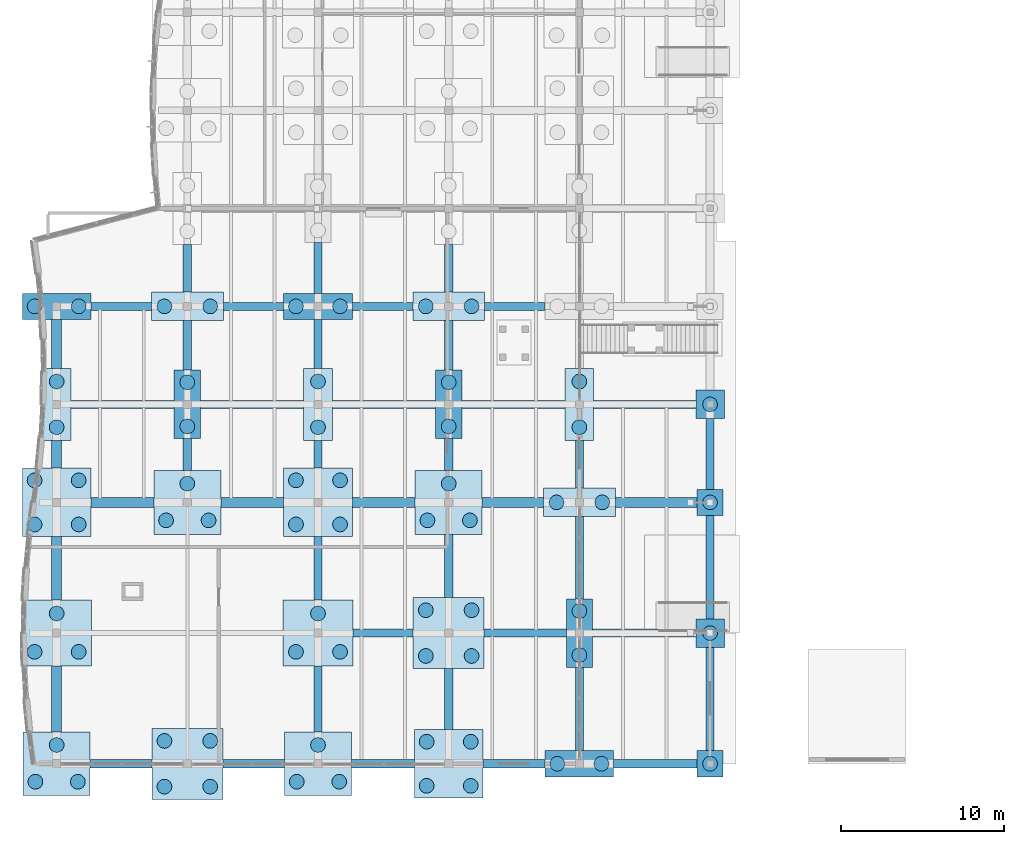
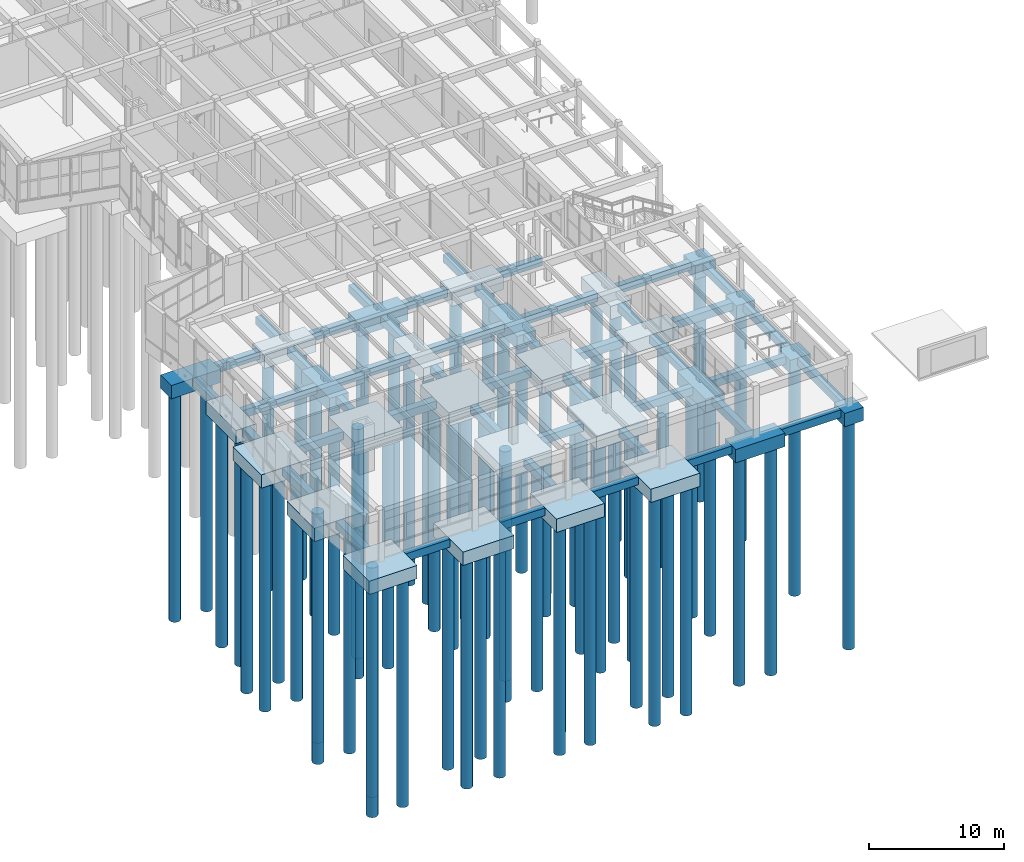
# One storey, part 1 of 99: 72 footings, 66 piles.
"""IFC4 building model written with IfcOpenShell, lengths in metres."""

from ifc_helpers import new_model, si_unit, direction, frame, origin, origin_2d, place, context, subcontext, project, spatial, rectangle, circle, extrude, material, material_profile, profile_set, type_object, element, save


model = new_model("IFC4")

# Units and contexts
model_context = context("Model", 3, precision=1e-05, world=origin(), true_north=direction((0.0, 1.0)))
body_context = subcontext(model_context, "Body", "Model", "MODEL_VIEW")
ifc_project = project(units=[si_unit("LENGTHUNIT", "METRE"), si_unit("AREAUNIT", "SQUARE_METRE"), si_unit("VOLUMEUNIT", "CUBIC_METRE"), si_unit("PLANEANGLEUNIT", "RADIAN"), si_unit("MASSUNIT", "GRAM", prefix="KILO")], contexts=[model_context])

# Site, building, storey
site_placement = place(None, origin())
site = spatial("IfcSite", under=ifc_project, at=site_placement, CompositionType="ELEMENT")
building_placement = place(site_placement, origin())
building = spatial("IfcBuilding", under=site, at=building_placement, Name="Tonlespit Floodbar School", CompositionType="ELEMENT")
storey_placement = place(building_placement, origin())
storey = spatial("IfcBuildingStorey", under=building, at=storey_placement, Name="L00", CompositionType="ELEMENT", Elevation=0.0)

# Footings
ifc_material_1 = material(Name="Concrete C40/50", Category="concrete")
footing_type_1 = type_object("IfcFootingType", Name="FootingBeam_RC_500x700", PredefinedType="FOOTING_BEAM", material=ifc_material_1)
for number, where, z_axis, x_axis, name in (
    (1, (7.9375, 4.0, -0.89990234375), (0.0, 0.0, 1.0), (1.0, 0.0, 0.0), "Ground tie beam FB-001"),
    (2, (16.0625, 4.0, -0.89990234375), (0.0, 0.0, 1.0), (1.0, 0.0, 0.0), "Ground tie beam FB-002"),
):
    element("IfcFooting", number, at=place(storey_placement, frame(where, z_axis=z_axis, x_axis=x_axis)), inside=storey, type_object=footing_type_1, Name=name, PredefinedType="FOOTING_BEAM", context=body_context, shape_type="SweptSolid", body=[
        extrude(rectangle(XDim=3.77490234375, YDim=0.5, at=origin_2d()), origin(), (0.0, 0.0, 1.0), 0.699951171875),
    ])
footing_1_placement = place(storey_placement, frame((23.97509765625, 4.0, -0.89990234375), z_axis=(0.0, 0.0, 1.0), x_axis=(1.0, 0.0, 0.0)))
element("IfcFooting", 3, at=footing_1_placement, inside=storey, type_object=footing_type_1, Name="Ground tie beam FB-003", PredefinedType="FOOTING_BEAM", context=body_context, shape_type="SweptSolid", body=[
    extrude(rectangle(XDim=3.85009765625, YDim=0.5, at=origin_2d()), origin(), (0.0, 0.0, 1.0), 0.699951171875),
])
footing_2_placement = place(storey_placement, frame((32.0, 4.0, -0.89990234375), z_axis=(0.0, 0.0, 1.0), x_axis=(1.0, 0.0, 0.0)))
element("IfcFooting", 4, at=footing_2_placement, inside=storey, type_object=footing_type_1, Name="Ground tie beam FB-004", PredefinedType="FOOTING_BEAM", context=body_context, shape_type="SweptSolid", body=[
    extrude(rectangle(XDim=3.800048828125, YDim=0.5, at=origin_2d()), origin(), (0.0, 0.0, 1.0), 0.699951171875),
])
footing_3_placement = place(storey_placement, frame((40.64990234375, 4.0, -0.89990234375), z_axis=(0.0, 0.0, 1.0), x_axis=(1.0, 0.0, 0.0)))
element("IfcFooting", 5, at=footing_3_placement, inside=storey, type_object=footing_type_1, Name="Ground tie beam FB-005", PredefinedType="FOOTING_BEAM", context=body_context, shape_type="SweptSolid", body=[
    extrude(rectangle(XDim=5.10009765625, YDim=0.5, at=origin_2d()), origin(), (0.0, 0.0, 1.0), 0.699951171875),
])
footing_4_placement = place(storey_placement, frame((23.987548828125, 12.0, -0.89990234375), z_axis=(0.0, 0.0, 1.0), x_axis=(1.0, 0.0, 0.0)))
element("IfcFooting", 6, at=footing_4_placement, inside=storey, type_object=footing_type_1, Name="Ground tie beam FB-006", PredefinedType="FOOTING_BEAM", context=body_context, shape_type="SweptSolid", body=[
    extrude(rectangle(XDim=3.675048828125, YDim=0.5, at=origin_2d()), origin(), (0.0, 0.0, 1.0), 0.699951171875),
])
footing_5_placement = place(storey_placement, frame((32.6875, 12.0, -0.89990234375), z_axis=(0.0, 0.0, 1.0), x_axis=(1.0, 0.0, 0.0)))
element("IfcFooting", 7, at=footing_5_placement, inside=storey, type_object=footing_type_1, Name="Ground tie beam FB-007", PredefinedType="FOOTING_BEAM", context=body_context, shape_type="SweptSolid", body=[
    extrude(rectangle(XDim=5.02490234375, YDim=0.5, at=origin_2d()), origin(), (0.0, 0.0, 1.0), 0.699951171875),
])
for number, where, z_axis, x_axis, name in (
    (8, (39.96240234375, 12.0, -0.89990234375), (0.0, 0.0, 1.0), (1.0, 0.0, 0.0), "Ground tie beam FB-008"),
    (9, (8.03759765625, 26.0, -0.89990234375), (0.0, 0.0, 1.0), (1.0, 0.0, 0.0), "Ground tie beam FB-021"),
    (10, (15.96240234375, 26.0, -0.89990234375), (0.0, 0.0, 1.0), (1.0, 0.0, 0.0), "Ground tie beam FB-022"),
    (11, (24.03759765625, 26.0, -0.89990234375), (0.0, 0.0, 1.0), (1.0, 0.0, 0.0), "Ground tie beam FB-023"),
    (12, (31.96240234375, 26.0, -0.89990234375), (0.0, 0.0, 1.0), (1.0, 0.0, 0.0), "Ground tie beam FB-024"),
):
    element("IfcFooting", number, at=place(storey_placement, frame(where, z_axis=z_axis, x_axis=x_axis)), inside=storey, type_object=footing_type_1, Name=name, PredefinedType="FOOTING_BEAM", context=body_context, shape_type="SweptSolid", body=[
        extrude(rectangle(XDim=6.324951171875, YDim=0.5, at=origin_2d()), origin(), (0.0, 0.0, 1.0), 0.699951171875),
    ])
footing_6_placement = place(storey_placement, frame((40.0, 26.0, -0.89990234375), z_axis=(0.0, 0.0, 1.0), x_axis=(1.0, 0.0, 0.0)))
element("IfcFooting", 13, at=footing_6_placement, inside=storey, type_object=footing_type_1, Name="Ground tie beam FB-025", PredefinedType="FOOTING_BEAM", context=body_context, shape_type="SweptSolid", body=[
    extrude(rectangle(XDim=6.25, YDim=0.5, at=origin_2d()), origin(), (0.0, 0.0, 1.0), 0.699951171875),
])
for number, where, z_axis, x_axis, name in (
    (14, (7.949951171875, 32.0, -0.89990234375), (0.0, 0.0, 1.0), (1.0, 0.0, 0.0), "Ground tie beam FB-026"),
    (15, (16.050048828125, 32.0, -0.89990234375), (0.0, 0.0, 1.0), (1.0, 0.0, 0.0), "Ground tie beam FB-027"),
    (16, (23.949951171875, 32.0, -0.89990234375), (0.0, 0.0, 1.0), (1.0, 0.0, 0.0), "Ground tie beam FB-028"),
    (17, (32.050048828125, 32.0, -0.89990234375), (0.0, 0.0, 1.0), (1.0, 0.0, 0.0), "Ground tie beam FB-029"),
):
    element("IfcFooting", number, at=place(storey_placement, frame(where, z_axis=z_axis, x_axis=x_axis)), inside=storey, type_object=footing_type_1, Name=name, PredefinedType="FOOTING_BEAM", context=body_context, shape_type="SweptSolid", body=[
        extrude(rectangle(XDim=3.699951171875, YDim=0.5, at=origin_2d()), origin(), (0.0, 0.0, 1.0), 0.699951171875),
    ])
footing_7_placement = place(storey_placement, frame((12.0, 22.925048828125, -0.89990234375), z_axis=(0.0, 0.0, 1.0), x_axis=(0.0, 1.0, 0.0)))
element("IfcFooting", 18, at=footing_7_placement, inside=storey, type_object=footing_type_1, Name="Ground tie beam FB-167", PredefinedType="FOOTING_BEAM", context=body_context, shape_type="SweptSolid", body=[
    extrude(rectangle(XDim=1.949951171875, YDim=0.5, at=origin_2d()), origin(), (0.0, 0.0, 1.0), 0.699951171875),
])
footing_8_placement = place(storey_placement, frame((12.0, 29.612548828125, -0.89990234375), z_axis=(0.0, 0.0, 1.0), x_axis=(0.0, 1.0, 0.0)))
element("IfcFooting", 19, at=footing_8_placement, inside=storey, type_object=footing_type_1, Name="Ground tie beam FB-168", PredefinedType="FOOTING_BEAM", context=body_context, shape_type="SweptSolid", body=[
    extrude(rectangle(XDim=3.02490234375, YDim=0.5, at=origin_2d()), origin(), (0.0, 0.0, 1.0), 0.699951171875),
])
footing_9_placement = place(storey_placement, frame((12.0, 34.33740234375, -0.89990234375), z_axis=(0.0, 0.0, 1.0), x_axis=(0.0, 1.0, 0.0)))
element("IfcFooting", 20, at=footing_9_placement, inside=storey, type_object=footing_type_1, Name="Ground tie beam FB-169", PredefinedType="FOOTING_BEAM", context=body_context, shape_type="SweptSolid", body=[
    extrude(rectangle(XDim=2.925048828125, YDim=0.5, at=origin_2d()), origin(), (0.0, 0.0, 1.0), 0.699951171875),
])
footing_10_placement = place(storey_placement, frame((20.0, 7.96240234375, -0.89990234375), z_axis=(0.0, 0.0, 1.0), x_axis=(0.0, 1.0, 0.0)))
element("IfcFooting", 21, at=footing_10_placement, inside=storey, type_object=footing_type_1, Name="Ground tie beam FB-178", PredefinedType="FOOTING_BEAM", context=body_context, shape_type="SweptSolid", body=[
    extrude(rectangle(XDim=4.02490234375, YDim=0.5, at=origin_2d()), origin(), (0.0, 0.0, 1.0), 0.699951171875),
])
footing_11_placement = place(storey_placement, frame((20.0, 15.96240234375, -0.89990234375), z_axis=(0.0, 0.0, 1.0), x_axis=(0.0, 1.0, 0.0)))
element("IfcFooting", 22, at=footing_11_placement, inside=storey, type_object=footing_type_1, Name="Ground tie beam FB-179", PredefinedType="FOOTING_BEAM", context=body_context, shape_type="SweptSolid", body=[
    extrude(rectangle(XDim=3.875, YDim=0.5, at=origin_2d()), origin(), (0.0, 0.0, 1.0), 0.699951171875),
])
footing_12_placement = place(storey_placement, frame((20.0, 22.949951171875, -0.89990234375), z_axis=(0.0, 0.0, 1.0), x_axis=(0.0, 1.0, 0.0)))
element("IfcFooting", 23, at=footing_12_placement, inside=storey, type_object=footing_type_1, Name="Ground tie beam FB-180", PredefinedType="FOOTING_BEAM", context=body_context, shape_type="SweptSolid", body=[
    extrude(rectangle(XDim=1.699951171875, YDim=0.5, at=origin_2d()), origin(), (0.0, 0.0, 1.0), 0.699951171875),
])
footing_13_placement = place(storey_placement, frame((20.0, 29.699951171875, -0.89990234375), z_axis=(0.0, 0.0, 1.0), x_axis=(0.0, 1.0, 0.0)))
element("IfcFooting", 24, at=footing_13_placement, inside=storey, type_object=footing_type_1, Name="Ground tie beam FB-181", PredefinedType="FOOTING_BEAM", context=body_context, shape_type="SweptSolid", body=[
    extrude(rectangle(XDim=3.0, YDim=0.5, at=origin_2d()), origin(), (0.0, 0.0, 1.0), 0.699951171875),
])
footing_14_placement = place(storey_placement, frame((20.0, 34.35009765625, -0.89990234375), z_axis=(0.0, 0.0, 1.0), x_axis=(0.0, 1.0, 0.0)))
element("IfcFooting", 25, at=footing_14_placement, inside=storey, type_object=footing_type_1, Name="Ground tie beam FB-182", PredefinedType="FOOTING_BEAM", context=body_context, shape_type="SweptSolid", body=[
    extrude(rectangle(XDim=3.10009765625, YDim=0.5, at=origin_2d()), origin(), (0.0, 0.0, 1.0), 0.699951171875),
])
footing_15_placement = place(storey_placement, frame((28.0, 7.96240234375, -0.89990234375), z_axis=(0.0, 0.0, 1.0), x_axis=(0.0, 1.0, 0.0)))
element("IfcFooting", 26, at=footing_15_placement, inside=storey, type_object=footing_type_1, Name="Ground tie beam FB-191", PredefinedType="FOOTING_BEAM", context=body_context, shape_type="SweptSolid", body=[
    extrude(rectangle(XDim=3.72509765625, YDim=0.5, at=origin_2d()), origin(), (0.0, 0.0, 1.0), 0.699951171875),
])
footing_16_placement = place(storey_placement, frame((28.0, 16.112548828125, -0.89990234375), z_axis=(0.0, 0.0, 1.0), x_axis=(0.0, 1.0, 0.0)))
element("IfcFooting", 27, at=footing_16_placement, inside=storey, type_object=footing_type_1, Name="Ground tie beam FB-192", PredefinedType="FOOTING_BEAM", context=body_context, shape_type="SweptSolid", body=[
    extrude(rectangle(XDim=3.875, YDim=0.5, at=origin_2d()), origin(), (0.0, 0.0, 1.0), 0.699951171875),
])
footing_17_placement = place(storey_placement, frame((28.0, 22.925048828125, -0.89990234375), z_axis=(0.0, 0.0, 1.0), x_axis=(0.0, 1.0, 0.0)))
element("IfcFooting", 28, at=footing_17_placement, inside=storey, type_object=footing_type_1, Name="Ground tie beam FB-193", PredefinedType="FOOTING_BEAM", context=body_context, shape_type="SweptSolid", body=[
    extrude(rectangle(XDim=1.949951171875, YDim=0.5, at=origin_2d()), origin(), (0.0, 0.0, 1.0), 0.699951171875),
])
footing_18_placement = place(storey_placement, frame((28.0, 29.612548828125, -0.89990234375), z_axis=(0.0, 0.0, 1.0), x_axis=(0.0, 1.0, 0.0)))
element("IfcFooting", 29, at=footing_18_placement, inside=storey, type_object=footing_type_1, Name="Ground tie beam FB-194", PredefinedType="FOOTING_BEAM", context=body_context, shape_type="SweptSolid", body=[
    extrude(rectangle(XDim=3.02490234375, YDim=0.5, at=origin_2d()), origin(), (0.0, 0.0, 1.0), 0.699951171875),
])
footing_19_placement = place(storey_placement, frame((28.0, 34.33740234375, -0.89990234375), z_axis=(0.0, 0.0, 1.0), x_axis=(0.0, 1.0, 0.0)))
element("IfcFooting", 30, at=footing_19_placement, inside=storey, type_object=footing_type_1, Name="Ground tie beam FB-195", PredefinedType="FOOTING_BEAM", context=body_context, shape_type="SweptSolid", body=[
    extrude(rectangle(XDim=2.925048828125, YDim=0.5, at=origin_2d()), origin(), (0.0, 0.0, 1.0), 0.699951171875),
])
footing_20_placement = place(storey_placement, frame((36.0, 7.35009765625, -0.89990234375), z_axis=(0.0, 0.0, 1.0), x_axis=(0.0, 1.0, 0.0)))
element("IfcFooting", 31, at=footing_20_placement, inside=storey, type_object=footing_type_1, Name="Ground tie beam FB-204", PredefinedType="FOOTING_BEAM", context=body_context, shape_type="SweptSolid", body=[
    extrude(rectangle(XDim=5.10009765625, YDim=0.5, at=origin_2d()), origin(), (0.0, 0.0, 1.0), 0.699951171875),
])
footing_21_placement = place(storey_placement, frame((36.0, 16.612548828125, -0.89990234375), z_axis=(0.0, 0.0, 1.0), x_axis=(0.0, 1.0, 0.0)))
element("IfcFooting", 32, at=footing_21_placement, inside=storey, type_object=footing_type_1, Name="Ground tie beam FB-205", PredefinedType="FOOTING_BEAM", context=body_context, shape_type="SweptSolid", body=[
    extrude(rectangle(XDim=5.02490234375, YDim=0.5, at=origin_2d()), origin(), (0.0, 0.0, 1.0), 0.699951171875),
])
footing_22_placement = place(storey_placement, frame((36.0, 22.33740234375, -0.89990234375), z_axis=(0.0, 0.0, 1.0), x_axis=(0.0, 1.0, 0.0)))
element("IfcFooting", 33, at=footing_22_placement, inside=storey, type_object=footing_type_1, Name="Ground tie beam FB-206", PredefinedType="FOOTING_BEAM", context=body_context, shape_type="SweptSolid", body=[
    extrude(rectangle(XDim=2.925048828125, YDim=0.5, at=origin_2d()), origin(), (0.0, 0.0, 1.0), 0.699951171875),
])
for number, where, z_axis, x_axis, name in (
    (34, (44.0, 7.96240234375, -0.89990234375), (0.0, 0.0, 1.0), (0.0, 1.0, 0.0), "Ground tie beam FB-217"),
    (35, (44.0, 16.03759765625, -0.89990234375), (0.0, 0.0, 1.0), (0.0, 1.0, 0.0), "Ground tie beam FB-218"),
):
    element("IfcFooting", number, at=place(storey_placement, frame(where, z_axis=z_axis, x_axis=x_axis)), inside=storey, type_object=footing_type_1, Name=name, PredefinedType="FOOTING_BEAM", context=body_context, shape_type="SweptSolid", body=[
        extrude(rectangle(XDim=6.324951171875, YDim=0.5, at=origin_2d()), origin(), (0.0, 0.0, 1.0), 0.699951171875),
    ])
footing_23_placement = place(storey_placement, frame((44.0, 22.96240234375, -0.89990234375), z_axis=(0.0, 0.0, 1.0), x_axis=(0.0, 1.0, 0.0)))
element("IfcFooting", 36, at=footing_23_placement, inside=storey, type_object=footing_type_1, Name="Ground tie beam FB-219", PredefinedType="FOOTING_BEAM", context=body_context, shape_type="SweptSolid", body=[
    extrude(rectangle(XDim=4.324951171875, YDim=0.5, at=origin_2d()), origin(), (0.0, 0.0, 1.0), 0.699951171875),
])
footing_type_2 = type_object("IfcFootingType", Name="PileCap_1P_1600", PredefinedType="PILE_CAP", material=ifc_material_1)
for number, where, z_axis, x_axis, name in (
    (37, (44.0, 4.0, -1.39990234375), (0.0, 0.0, 1.0), (1.0, 0.0, 0.0), "Pile cap FC-067 at U06/V01"),
    (38, (44.0, 20.0, -1.39990234375), (0.0, 0.0, 1.0), (1.0, 0.0, 0.0), "Pile cap FC-069 at U06/V03"),
):
    element("IfcFooting", number, at=place(storey_placement, frame(where, z_axis=z_axis, x_axis=x_axis)), inside=storey, type_object=footing_type_2, Name=name, PredefinedType="PILE_CAP", context=body_context, shape_type="SweptSolid", body=[
        extrude(rectangle(XDim=1.60009765625, YDim=1.60009765625, at=origin_2d()), origin(), (0.0, 0.0, 1.0), 1.199951171875),
    ])
footing_type_3 = type_object("IfcFootingType", Name="PileCap_1P_1750", PredefinedType="PILE_CAP", material=ifc_material_1)
for number, where, z_axis, x_axis, name in (
    (39, (44.0, 12.0, -1.39990234375), (0.0, 0.0, 1.0), (1.0, 0.0, 0.0), "Pile cap FC-068 at U06/V02"),
    (40, (44.0, 26.0, -1.39990234375), (0.0, 0.0, 1.0), (1.0, 0.0, 0.0), "Pile cap FC-070 at U06/V04"),
):
    element("IfcFooting", number, at=place(storey_placement, frame(where, z_axis=z_axis, x_axis=x_axis)), inside=storey, type_object=footing_type_3, Name=name, PredefinedType="PILE_CAP", context=body_context, shape_type="SweptSolid", body=[
        extrude(rectangle(XDim=1.75, YDim=1.75, at=origin_2d()), origin(), (0.0, 0.0, 1.0), 1.199951171875),
    ])
footing_type_4 = type_object("IfcFootingType", Name="PileCap_2PX_4200x1600", PredefinedType="PILE_CAP", material=ifc_material_1)
for number, where, z_axis, x_axis, name in (
    (41, (4.0, 32.0, -1.39990234375), (0.0, 0.0, 1.0), (1.0, 0.0, 0.0), "Pile cap FC-005 at U01/V05"),
    (42, (20.0, 32.0, -1.39990234375), (0.0, 0.0, 1.0), (1.0, 0.0, 0.0), "Pile cap FC-029 at U03/V05"),
    (43, (36.0, 4.0, -1.39990234375), (0.0, 0.0, 1.0), (1.0, 0.0, 0.0), "Pile cap FC-053 at U05/V01"),
):
    element("IfcFooting", number, at=place(storey_placement, frame(where, z_axis=z_axis, x_axis=x_axis)), inside=storey, type_object=footing_type_4, Name=name, PredefinedType="PILE_CAP", context=body_context, shape_type="SweptSolid", body=[
        extrude(rectangle(XDim=4.199951171875, YDim=1.60009765625, at=origin_2d()), origin(), (0.0, 0.0, 1.0), 1.199951171875),
    ])
footing_type_5 = type_object("IfcFootingType", Name="PileCap_2PX_4400x1750", PredefinedType="PILE_CAP", material=ifc_material_1)
for number, where, z_axis, x_axis, name in (
    (44, (12.0, 32.0, -1.39990234375), (0.0, 0.0, 1.0), (1.0, 0.0, 0.0), "Pile cap FC-015 at U02/V05"),
    (45, (28.0, 32.0, -1.39990234375), (0.0, 0.0, 1.0), (1.0, 0.0, 0.0), "Pile cap FC-043 at U04/V05"),
    (46, (36.0, 20.0, -1.39990234375), (0.0, 0.0, 1.0), (1.0, 0.0, 0.0), "Pile cap FC-055 at U05/V03"),
):
    element("IfcFooting", number, at=place(storey_placement, frame(where, z_axis=z_axis, x_axis=x_axis)), inside=storey, type_object=footing_type_5, Name=name, PredefinedType="PILE_CAP", context=body_context, shape_type="SweptSolid", body=[
        extrude(rectangle(XDim=4.39990234375, YDim=1.75, at=origin_2d()), origin(), (0.0, 0.0, 1.0), 1.199951171875),
    ])
footing_type_6 = type_object("IfcFootingType", Name="PileCap_2PY_1600x4200", PredefinedType="PILE_CAP", material=ifc_material_1)
for number, where, z_axis, x_axis, name in (
    (47, (12.0, 26.0, -1.39990234375), (0.0, 0.0, 1.0), (1.0, 0.0, 0.0), "Pile cap FC-014 at U02/V04"),
    (48, (28.0, 26.0, -1.39990234375), (0.0, 0.0, 1.0), (1.0, 0.0, 0.0), "Pile cap FC-042 at U04/V04"),
    (49, (36.0, 12.0, -1.39990234375), (0.0, 0.0, 1.0), (1.0, 0.0, 0.0), "Pile cap FC-054 at U05/V02"),
):
    element("IfcFooting", number, at=place(storey_placement, frame(where, z_axis=z_axis, x_axis=x_axis)), inside=storey, type_object=footing_type_6, Name=name, PredefinedType="PILE_CAP", context=body_context, shape_type="SweptSolid", body=[
        extrude(rectangle(XDim=1.60009765625, YDim=4.199951171875, at=origin_2d()), origin(), (0.0, 0.0, 1.0), 1.199951171875),
    ])
footing_type_7 = type_object("IfcFootingType", Name="PileCap_2PY_1750x4400", PredefinedType="PILE_CAP", material=ifc_material_1)
for number, where, z_axis, x_axis, name in (
    (50, (4.0, 26.0, -1.39990234375), (0.0, 0.0, 1.0), (1.0, 0.0, 0.0), "Pile cap FC-004 at U01/V04"),
    (51, (20.0, 26.0, -1.39990234375), (0.0, 0.0, 1.0), (1.0, 0.0, 0.0), "Pile cap FC-028 at U03/V04"),
    (52, (36.0, 26.0, -1.39990234375), (0.0, 0.0, 1.0), (1.0, 0.0, 0.0), "Pile cap FC-056 at U05/V04"),
):
    element("IfcFooting", number, at=place(storey_placement, frame(where, z_axis=z_axis, x_axis=x_axis)), inside=storey, type_object=footing_type_7, Name=name, PredefinedType="PILE_CAP", context=body_context, shape_type="SweptSolid", body=[
        extrude(rectangle(XDim=1.75, YDim=4.39990234375, at=origin_2d()), origin(), (0.0, 0.0, 1.0), 1.199951171875),
    ])
footing_type_8 = type_object("IfcFootingType", Name="PileCap_3P_4100x3900", PredefinedType="PILE_CAP", material=ifc_material_1)
for number, where, z_axis, x_axis, name in (
    (53, (4.0, 4.0, -1.39990234375), (0.0, 0.0, 1.0), (1.0, 0.0, 0.0), "Pile cap FC-001 at U01/V01"),
    (54, (12.0, 20.0, -1.39990234375), (0.0, 0.0, 1.0), (1.0, 0.0, 0.0), "Pile cap FC-013 at U02/V03"),
    (55, (20.0, 4.0, -1.39990234375), (0.0, 0.0, 1.0), (1.0, 0.0, 0.0), "Pile cap FC-025 at U03/V01"),
    (56, (28.0, 20.0, -1.39990234375), (0.0, 0.0, 1.0), (1.0, 0.0, 0.0), "Pile cap FC-041 at U04/V03"),
):
    element("IfcFooting", number, at=place(storey_placement, frame(where, z_axis=z_axis, x_axis=x_axis)), inside=storey, type_object=footing_type_8, Name=name, PredefinedType="PILE_CAP", context=body_context, shape_type="SweptSolid", body=[
        extrude(rectangle(XDim=4.10009765625, YDim=3.89990234375, at=origin_2d()), origin(), (0.0, 0.0, 1.0), 1.199951171875),
    ])
footing_type_9 = type_object("IfcFootingType", Name="PileCap_3P_4300x4050", PredefinedType="PILE_CAP", material=ifc_material_1)
for number, where, z_axis, x_axis, name in (
    (57, (4.0, 12.0, -1.39990234375), (0.0, 0.0, 1.0), (1.0, 0.0, 0.0), "Pile cap FC-002 at U01/V02"),
    (58, (20.0, 12.0, -1.39990234375), (0.0, 0.0, 1.0), (1.0, 0.0, 0.0), "Pile cap FC-026 at U03/V02"),
):
    element("IfcFooting", number, at=place(storey_placement, frame(where, z_axis=z_axis, x_axis=x_axis)), inside=storey, type_object=footing_type_9, Name=name, PredefinedType="PILE_CAP", context=body_context, shape_type="SweptSolid", body=[
        extrude(rectangle(XDim=4.300048828125, YDim=4.050048828125, at=origin_2d()), origin(), (0.0, 0.0, 1.0), 1.199951171875),
    ])
footing_type_10 = type_object("IfcFootingType", Name="PileCap_4P_4200x4200", PredefinedType="PILE_CAP", material=ifc_material_1)
for number, where, z_axis, x_axis, name in (
    (59, (4.0, 20.0, -1.39990234375), (0.0, 0.0, 1.0), (1.0, 0.0, 0.0), "Pile cap FC-003 at U01/V03"),
    (60, (20.0, 20.0, -1.39990234375), (0.0, 0.0, 1.0), (1.0, 0.0, 0.0), "Pile cap FC-027 at U03/V03"),
    (61, (28.0, 4.0, -1.39990234375), (0.0, 0.0, 1.0), (1.0, 0.0, 0.0), "Pile cap FC-039 at U04/V01"),
):
    element("IfcFooting", number, at=place(storey_placement, frame(where, z_axis=z_axis, x_axis=x_axis)), inside=storey, type_object=footing_type_10, Name=name, PredefinedType="PILE_CAP", context=body_context, shape_type="SweptSolid", body=[
        extrude(rectangle(XDim=4.199951171875, YDim=4.199951171875, at=origin_2d()), origin(), (0.0, 0.0, 1.0), 1.199951171875),
    ])
footing_type_11 = type_object("IfcFootingType", Name="PileCap_4P_4350x4350", PredefinedType="PILE_CAP", material=ifc_material_1)
for number, where, z_axis, x_axis, name in (
    (62, (12.0, 4.0, -1.39990234375), (0.0, 0.0, 1.0), (1.0, 0.0, 0.0), "Pile cap FC-012 at U02/V01"),
    (63, (28.0, 12.0, -1.39990234375), (0.0, 0.0, 1.0), (1.0, 0.0, 0.0), "Pile cap FC-040 at U04/V02"),
):
    element("IfcFooting", number, at=place(storey_placement, frame(where, z_axis=z_axis, x_axis=x_axis)), inside=storey, type_object=footing_type_11, Name=name, PredefinedType="PILE_CAP", context=body_context, shape_type="SweptSolid", body=[
        extrude(rectangle(XDim=4.35009765625, YDim=4.35009765625, at=origin_2d()), origin(), (0.0, 0.0, 1.0), 1.199951171875),
    ])

# Piles
ifc_material_2 = material(Name="Concrete C35/45", Category="concrete")
ifc_material_profile = material_profile(ifc_material_2, circle(Radius=0.449951171875, at=origin_2d()), Name="BP D900")
ifc_profile_set = profile_set([ifc_material_profile], Name="Concrete C35/45")
pile_type = type_object("IfcPileType", Name="Pile_RC_D900", PredefinedType="BORED", material=ifc_profile_set)
for number, where, z_axis, x_axis, name in (
    (64, (2.699951171875, 2.89990234375, -1.300048828125), (0.0, 0.0, -1.0), (1.0, 0.0, 0.0), "Bored pile PL-0051"),
    (65, (5.300048828125, 2.89990234375, -1.300048828125), (0.0, 0.0, -1.0), (1.0, 0.0, 0.0), "Bored pile PL-0052"),
    (66, (4.0, 5.14990234375, -1.300048828125), (0.0, 0.0, -1.0), (1.0, 0.0, 0.0), "Bored pile PL-0053"),
    (67, (2.64990234375, 10.85009765625, -1.300048828125), (0.0, 0.0, -1.0), (1.0, 0.0, 0.0), "Bored pile PL-0054"),
    (68, (5.35009765625, 10.85009765625, -1.300048828125), (0.0, 0.0, -1.0), (1.0, 0.0, 0.0), "Bored pile PL-0055"),
    (69, (4.0, 13.199951171875, -1.300048828125), (0.0, 0.0, -1.0), (1.0, 0.0, 0.0), "Bored pile PL-0056"),
    (70, (2.64990234375, 18.64990234375, -1.300048828125), (0.0, 0.0, -1.0), (1.0, 0.0, 0.0), "Bored pile PL-0057"),
    (71, (5.35009765625, 18.64990234375, -1.300048828125), (0.0, 0.0, -1.0), (1.0, 0.0, 0.0), "Bored pile PL-0058"),
    (72, (2.64990234375, 21.35009765625, -1.300048828125), (0.0, 0.0, -1.0), (1.0, 0.0, 0.0), "Bored pile PL-0059"),
    (73, (5.35009765625, 21.35009765625, -1.300048828125), (0.0, 0.0, -1.0), (1.0, 0.0, 0.0), "Bored pile PL-0060"),
    (74, (4.0, 24.60009765625, -1.300048828125), (0.0, 0.0, -1.0), (1.0, 0.0, 0.0), "Bored pile PL-0061"),
    (75, (4.0, 27.39990234375, -1.300048828125), (0.0, 0.0, -1.0), (1.0, 0.0, 0.0), "Bored pile PL-0062"),
    (76, (2.64990234375, 32.0, -1.300048828125), (0.0, 0.0, -1.0), (1.0, 0.0, 0.0), "Bored pile PL-0063"),
    (77, (5.35009765625, 32.0, -1.300048828125), (0.0, 0.0, -1.0), (1.0, 0.0, 0.0), "Bored pile PL-0064"),
    (78, (10.60009765625, 2.60009765625, -1.300048828125), (0.0, 0.0, -1.0), (1.0, 0.0, 0.0), "Bored pile PL-0086"),
    (79, (13.39990234375, 2.60009765625, -1.300048828125), (0.0, 0.0, -1.0), (1.0, 0.0, 0.0), "Bored pile PL-0087"),
    (80, (10.60009765625, 5.39990234375, -1.300048828125), (0.0, 0.0, -1.0), (1.0, 0.0, 0.0), "Bored pile PL-0088"),
    (81, (13.39990234375, 5.39990234375, -1.300048828125), (0.0, 0.0, -1.0), (1.0, 0.0, 0.0), "Bored pile PL-0089"),
    (82, (10.699951171875, 18.89990234375, -1.300048828125), (0.0, 0.0, -1.0), (1.0, 0.0, 0.0), "Bored pile PL-0090"),
    (83, (13.300048828125, 18.89990234375, -1.300048828125), (0.0, 0.0, -1.0), (1.0, 0.0, 0.0), "Bored pile PL-0091"),
    (84, (12.0, 21.14990234375, -1.300048828125), (0.0, 0.0, -1.0), (1.0, 0.0, 0.0), "Bored pile PL-0092"),
    (85, (12.0, 24.64990234375, -1.300048828125), (0.0, 0.0, -1.0), (1.0, 0.0, 0.0), "Bored pile PL-0093"),
    (86, (12.0, 27.35009765625, -1.300048828125), (0.0, 0.0, -1.0), (1.0, 0.0, 0.0), "Bored pile PL-0094"),
    (87, (10.60009765625, 32.0, -1.300048828125), (0.0, 0.0, -1.0), (1.0, 0.0, 0.0), "Bored pile PL-0095"),
    (88, (13.39990234375, 32.0, -1.300048828125), (0.0, 0.0, -1.0), (1.0, 0.0, 0.0), "Bored pile PL-0096"),
    (89, (18.699951171875, 2.89990234375, -1.300048828125), (0.0, 0.0, -1.0), (1.0, 0.0, 0.0), "Bored pile PL-0124"),
    (90, (21.300048828125, 2.89990234375, -1.300048828125), (0.0, 0.0, -1.0), (1.0, 0.0, 0.0), "Bored pile PL-0125"),
    (91, (20.0, 5.14990234375, -1.300048828125), (0.0, 0.0, -1.0), (1.0, 0.0, 0.0), "Bored pile PL-0126"),
    (92, (18.64990234375, 10.85009765625, -1.300048828125), (0.0, 0.0, -1.0), (1.0, 0.0, 0.0), "Bored pile PL-0127"),
    (93, (21.35009765625, 10.85009765625, -1.300048828125), (0.0, 0.0, -1.0), (1.0, 0.0, 0.0), "Bored pile PL-0128"),
    (94, (20.0, 13.199951171875, -1.300048828125), (0.0, 0.0, -1.0), (1.0, 0.0, 0.0), "Bored pile PL-0129"),
    (95, (18.64990234375, 18.64990234375, -1.300048828125), (0.0, 0.0, -1.0), (1.0, 0.0, 0.0), "Bored pile PL-0130"),
    (96, (21.35009765625, 18.64990234375, -1.300048828125), (0.0, 0.0, -1.0), (1.0, 0.0, 0.0), "Bored pile PL-0131"),
    (97, (18.64990234375, 21.35009765625, -1.300048828125), (0.0, 0.0, -1.0), (1.0, 0.0, 0.0), "Bored pile PL-0132"),
    (98, (21.35009765625, 21.35009765625, -1.300048828125), (0.0, 0.0, -1.0), (1.0, 0.0, 0.0), "Bored pile PL-0133"),
    (99, (20.0, 24.60009765625, -1.300048828125), (0.0, 0.0, -1.0), (1.0, 0.0, 0.0), "Bored pile PL-0134"),
    (100, (20.0, 27.39990234375, -1.300048828125), (0.0, 0.0, -1.0), (1.0, 0.0, 0.0), "Bored pile PL-0135"),
    (101, (18.64990234375, 32.0, -1.300048828125), (0.0, 0.0, -1.0), (1.0, 0.0, 0.0), "Bored pile PL-0136"),
    (102, (21.35009765625, 32.0, -1.300048828125), (0.0, 0.0, -1.0), (1.0, 0.0, 0.0), "Bored pile PL-0137"),
    (103, (26.64990234375, 2.64990234375, -1.300048828125), (0.0, 0.0, -1.0), (1.0, 0.0, 0.0), "Bored pile PL-0164"),
    (104, (29.35009765625, 2.64990234375, -1.300048828125), (0.0, 0.0, -1.0), (1.0, 0.0, 0.0), "Bored pile PL-0165"),
    (105, (26.64990234375, 5.35009765625, -1.300048828125), (0.0, 0.0, -1.0), (1.0, 0.0, 0.0), "Bored pile PL-0166"),
    (106, (29.35009765625, 5.35009765625, -1.300048828125), (0.0, 0.0, -1.0), (1.0, 0.0, 0.0), "Bored pile PL-0167"),
    (107, (26.60009765625, 10.60009765625, -1.300048828125), (0.0, 0.0, -1.0), (1.0, 0.0, 0.0), "Bored pile PL-0168"),
    (108, (29.39990234375, 10.60009765625, -1.300048828125), (0.0, 0.0, -1.0), (1.0, 0.0, 0.0), "Bored pile PL-0169"),
    (109, (26.60009765625, 13.39990234375, -1.300048828125), (0.0, 0.0, -1.0), (1.0, 0.0, 0.0), "Bored pile PL-0170"),
    (110, (29.39990234375, 13.39990234375, -1.300048828125), (0.0, 0.0, -1.0), (1.0, 0.0, 0.0), "Bored pile PL-0171"),
    (111, (26.699951171875, 18.89990234375, -1.300048828125), (0.0, 0.0, -1.0), (1.0, 0.0, 0.0), "Bored pile PL-0172"),
    (112, (29.300048828125, 18.89990234375, -1.300048828125), (0.0, 0.0, -1.0), (1.0, 0.0, 0.0), "Bored pile PL-0173"),
    (113, (28.0, 21.14990234375, -1.300048828125), (0.0, 0.0, -1.0), (1.0, 0.0, 0.0), "Bored pile PL-0174"),
    (114, (28.0, 24.64990234375, -1.300048828125), (0.0, 0.0, -1.0), (1.0, 0.0, 0.0), "Bored pile PL-0175"),
    (115, (28.0, 27.35009765625, -1.300048828125), (0.0, 0.0, -1.0), (1.0, 0.0, 0.0), "Bored pile PL-0176"),
    (116, (26.60009765625, 32.0, -1.300048828125), (0.0, 0.0, -1.0), (1.0, 0.0, 0.0), "Bored pile PL-0177"),
    (117, (29.39990234375, 32.0, -1.300048828125), (0.0, 0.0, -1.0), (1.0, 0.0, 0.0), "Bored pile PL-0178"),
    (118, (34.64990234375, 4.0, -1.300048828125), (0.0, 0.0, -1.0), (1.0, 0.0, 0.0), "Bored pile PL-0206"),
    (119, (37.35009765625, 4.0, -1.300048828125), (0.0, 0.0, -1.0), (1.0, 0.0, 0.0), "Bored pile PL-0207"),
    (120, (36.0, 10.64990234375, -1.300048828125), (0.0, 0.0, -1.0), (1.0, 0.0, 0.0), "Bored pile PL-0208"),
    (121, (36.0, 13.35009765625, -1.300048828125), (0.0, 0.0, -1.0), (1.0, 0.0, 0.0), "Bored pile PL-0209"),
    (122, (34.60009765625, 20.0, -1.300048828125), (0.0, 0.0, -1.0), (1.0, 0.0, 0.0), "Bored pile PL-0210"),
    (123, (37.39990234375, 20.0, -1.300048828125), (0.0, 0.0, -1.0), (1.0, 0.0, 0.0), "Bored pile PL-0211"),
    (124, (36.0, 24.60009765625, -1.300048828125), (0.0, 0.0, -1.0), (1.0, 0.0, 0.0), "Bored pile PL-0212"),
    (125, (36.0, 27.39990234375, -1.300048828125), (0.0, 0.0, -1.0), (1.0, 0.0, 0.0), "Bored pile PL-0213"),
    (126, (44.0, 4.0, -1.300048828125), (0.0, 0.0, -1.0), (1.0, 0.0, 0.0), "Bored pile PL-0246"),
    (127, (44.0, 12.0, -1.300048828125), (0.0, 0.0, -1.0), (1.0, 0.0, 0.0), "Bored pile PL-0247"),
    (128, (44.0, 20.0, -1.300048828125), (0.0, 0.0, -1.0), (1.0, 0.0, 0.0), "Bored pile PL-0248"),
    (129, (44.0, 26.0, -1.300048828125), (0.0, 0.0, -1.0), (1.0, 0.0, 0.0), "Bored pile PL-0249"),
):
    element("IfcPile", number, at=place(storey_placement, frame(where, z_axis=z_axis, x_axis=x_axis)), inside=storey, type_object=pile_type, Name=name, PredefinedType="BORED", context=body_context, shape_type="SweptSolid", body=[
        extrude(circle(Radius=0.449951171875, at=origin_2d()), origin(), (0.0, 0.0, 1.0), 20.699951171875),
    ])

# Footings
footing_type_12 = type_object("IfcFootingType", Name="StripFooting_RC_600x700", PredefinedType="STRIP_FOOTING", material=ifc_material_1)
for number, where, z_axis, x_axis, name in (
    (130, (8.02490234375, 20.0, -0.89990234375), (0.0, 0.0, 1.0), (1.0, 0.0, 0.0), "Ground tie beam FB-009"),
    (131, (15.97509765625, 20.0, -0.89990234375), (0.0, 0.0, 1.0), (1.0, 0.0, 0.0), "Ground tie beam FB-010"),
    (132, (24.02490234375, 20.0, -0.89990234375), (0.0, 0.0, 1.0), (1.0, 0.0, 0.0), "Ground tie beam FB-011"),
):
    element("IfcFooting", number, at=place(storey_placement, frame(where, z_axis=z_axis, x_axis=x_axis)), inside=storey, type_object=footing_type_12, Name=name, PredefinedType="STRIP_FOOTING", context=body_context, shape_type="SweptSolid", body=[
        extrude(rectangle(XDim=3.85009765625, YDim=0.60009765625, at=origin_2d()), origin(), (0.0, 0.0, 1.0), 0.699951171875),
    ])
footing_24_placement = place(storey_placement, frame((31.925048828125, 20.0, -0.89990234375), z_axis=(0.0, 0.0, 1.0), x_axis=(1.0, 0.0, 0.0)))
element("IfcFooting", 133, at=footing_24_placement, inside=storey, type_object=footing_type_12, Name="Ground tie beam FB-012", PredefinedType="STRIP_FOOTING", context=body_context, shape_type="SweptSolid", body=[
    extrude(rectangle(XDim=3.75, YDim=0.60009765625, at=origin_2d()), origin(), (0.0, 0.0, 1.0), 0.699951171875),
])
footing_25_placement = place(storey_placement, frame((40.699951171875, 20.0, -0.89990234375), z_axis=(0.0, 0.0, 1.0), x_axis=(1.0, 0.0, 0.0)))
element("IfcFooting", 134, at=footing_25_placement, inside=storey, type_object=footing_type_12, Name="Ground tie beam FB-013", PredefinedType="STRIP_FOOTING", context=body_context, shape_type="SweptSolid", body=[
    extrude(rectangle(XDim=5.0, YDim=0.60009765625, at=origin_2d()), origin(), (0.0, 0.0, 1.0), 0.699951171875),
])
footing_26_placement = place(storey_placement, frame((4.0, 7.96240234375, -0.89990234375), z_axis=(0.0, 0.0, 1.0), x_axis=(0.0, 1.0, 0.0)))
element("IfcFooting", 135, at=footing_26_placement, inside=storey, type_object=footing_type_12, Name="Ground tie beam FB-163", PredefinedType="STRIP_FOOTING", context=body_context, shape_type="SweptSolid", body=[
    extrude(rectangle(XDim=4.02490234375, YDim=0.60009765625, at=origin_2d()), origin(), (0.0, 0.0, 1.0), 0.699951171875),
])
footing_27_placement = place(storey_placement, frame((4.0, 15.96240234375, -0.89990234375), z_axis=(0.0, 0.0, 1.0), x_axis=(0.0, 1.0, 0.0)))
element("IfcFooting", 136, at=footing_27_placement, inside=storey, type_object=footing_type_12, Name="Ground tie beam FB-164", PredefinedType="STRIP_FOOTING", context=body_context, shape_type="SweptSolid", body=[
    extrude(rectangle(XDim=3.875, YDim=0.60009765625, at=origin_2d()), origin(), (0.0, 0.0, 1.0), 0.699951171875),
])
footing_28_placement = place(storey_placement, frame((4.0, 22.949951171875, -0.89990234375), z_axis=(0.0, 0.0, 1.0), x_axis=(0.0, 1.0, 0.0)))
element("IfcFooting", 137, at=footing_28_placement, inside=storey, type_object=footing_type_12, Name="Ground tie beam FB-165", PredefinedType="STRIP_FOOTING", context=body_context, shape_type="SweptSolid", body=[
    extrude(rectangle(XDim=1.699951171875, YDim=0.60009765625, at=origin_2d()), origin(), (0.0, 0.0, 1.0), 0.699951171875),
])
footing_29_placement = place(storey_placement, frame((4.0, 29.699951171875, -0.89990234375), z_axis=(0.0, 0.0, 1.0), x_axis=(0.0, 1.0, 0.0)))
element("IfcFooting", 138, at=footing_29_placement, inside=storey, type_object=footing_type_12, Name="Ground tie beam FB-166", PredefinedType="STRIP_FOOTING", context=body_context, shape_type="SweptSolid", body=[
    extrude(rectangle(XDim=3.0, YDim=0.60009765625, at=origin_2d()), origin(), (0.0, 0.0, 1.0), 0.699951171875),
])

save(model, "model.ifc")
